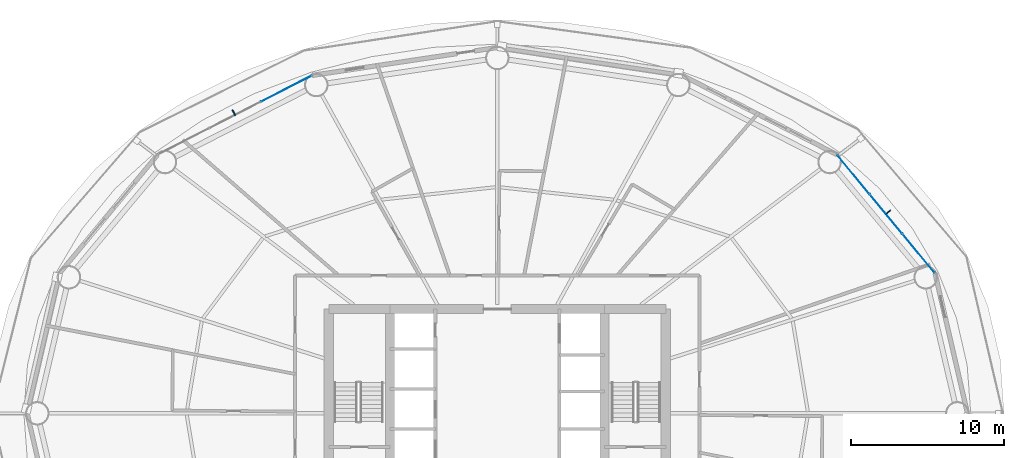
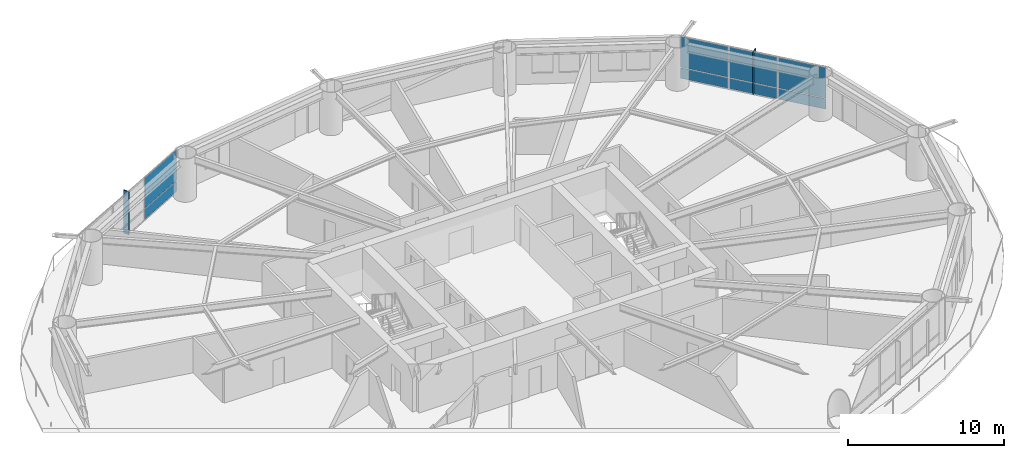
# One storey, part 18 of 26: 10 plates, 2 elements without a shape of their own.
"""IFC4 building model written with IfcOpenShell, lengths in metres."""

from ifc_helpers import new_model, si_unit, direction, frame, origin, origin_2d, place, context, subcontext, project, spatial, rectangle, extrude, material, layer, layer_set, type_object, element, aggregate, save


model = new_model("IFC4")

# Units and contexts
model_context = context("Model", 3, precision=1e-05, world=origin(), true_north=direction((0.0, 1.0)))
body_context = subcontext(model_context, "Body", "Model", "MODEL_VIEW")
ifc_project = project(units=[si_unit("LENGTHUNIT", "METRE"), si_unit("AREAUNIT", "SQUARE_METRE"), si_unit("VOLUMEUNIT", "CUBIC_METRE"), si_unit("PLANEANGLEUNIT", "RADIAN"), si_unit("MASSUNIT", "GRAM", prefix="KILO")], contexts=[model_context])

# Site, building, storey
site_placement = place(None, origin())
site = spatial("IfcSite", under=ifc_project, at=site_placement, CompositionType="ELEMENT")
building_placement = place(site_placement, origin())
building = spatial("IfcBuilding", under=site, at=building_placement, Name="Sarneth Arch Tower", CompositionType="ELEMENT")
storey_placement = place(building_placement, frame((0.0, 0.0, 71.39990234375)))
storey = spatial("IfcBuildingStorey", under=building, at=storey_placement, Name="L17", CompositionType="ELEMENT", Elevation=71.39990234375)

# Curtain wall, plates
ifc_material_1 = material(Name="Anodised aluminium Type AA25 and solar-control low-e laminated IGU", Category="aluminium")
ifc_layer_1 = layer(ifc_material_1, 0.159912109375)
ifc_layer_set_1 = layer_set([ifc_layer_1], Name="Anodised aluminium Type AA25 and solar-control low-e laminated IGU")
curtain_wall_type = type_object("IfcCurtainWallType", Name="CW-HOTEL-LOW", PredefinedType="NOTDEFINED", material=ifc_layer_set_1)
curtain_wall_1_placement = place(storey_placement, origin())
curtain_wall_1 = element("IfcCurtainWall", 1, at=curtain_wall_1_placement, inside=storey, type_object=curtain_wall_type, Name="L17 Unitised curtain wall facet 02", PredefinedType="NOTDEFINED")
ifc_material_2 = material(Name="Solar-control low-e laminated IGU", Category="glass")
ifc_layer_2 = layer(ifc_material_2, 0.028076171875)
ifc_layer_set_2 = layer_set([ifc_layer_2], Name="Solar-control low-e laminated IGU")
plate_type_1 = type_object("IfcPlateType", Name="CW-PANEL", PredefinedType="CURTAIN_PANEL", material=ifc_layer_set_2)
plate_1_placement = place(storey_placement, frame((75.503662109375, 52.441162109375, 0.06005859375), z_axis=(0.0, 0.0, 1.0), x_axis=(-0.637291340827, 0.770622960278, 0.0)))
plate_1 = element("IfcPlate", 2, at=plate_1_placement, type_object=plate_type_1, Name="Curtain wall glazed vision pane CW-L17-F02/P00-00", PredefinedType="CURTAIN_PANEL", context=body_context, shape_type="SweptSolid", body=[
    extrude(rectangle(XDim=3.260986328125, YDim=0.028076171875, at=origin_2d()), origin(), (0.0, 0.0, 1.0), 0.81005859375),
])
plate_2_placement = place(storey_placement, frame((75.503662109375, 52.441162109375, 0.93017578125), z_axis=(0.0, 0.0, 1.0), x_axis=(-0.637291340827, 0.770622960278, 0.0)))
plate_2 = element("IfcPlate", 3, at=plate_2_placement, type_object=plate_type_1, Name="Curtain wall glazed vision pane CW-L17-F02/P00-01", PredefinedType="CURTAIN_PANEL", context=body_context, shape_type="SweptSolid", body=[
    extrude(rectangle(XDim=3.260986328125, YDim=0.028076171875, at=origin_2d()), origin(), (0.0, 0.0, 1.0), 2.389892578125),
])
plate_3_placement = place(storey_placement, frame((73.37744140625, 55.01220703125, 0.06005859375), z_axis=(0.0, 0.0, 1.0), x_axis=(-0.637291340827, 0.770622960278, 0.0)))
plate_3 = element("IfcPlate", 4, at=plate_3_placement, type_object=plate_type_1, Name="Curtain wall glazed vision pane CW-L17-F02/P01-00", PredefinedType="CURTAIN_PANEL", context=body_context, shape_type="SweptSolid", body=[
    extrude(rectangle(XDim=3.291015625, YDim=0.028076171875, at=origin_2d()), origin(), (0.0, 0.0, 1.0), 0.81005859375),
])
plate_4_placement = place(storey_placement, frame((73.37744140625, 55.01220703125, 0.93017578125), z_axis=(0.0, 0.0, 1.0), x_axis=(-0.637291340827, 0.770622960278, 0.0)))
plate_4 = element("IfcPlate", 5, at=plate_4_placement, type_object=plate_type_1, Name="Curtain wall glazed vision pane CW-L17-F02/P01-01", PredefinedType="CURTAIN_PANEL", context=body_context, shape_type="SweptSolid", body=[
    extrude(rectangle(XDim=3.291015625, YDim=0.028076171875, at=origin_2d()), origin(), (0.0, 0.0, 1.0), 2.389892578125),
])
plate_5_placement = place(storey_placement, frame((71.25146484375, 57.5830078125, 0.06005859375), z_axis=(0.0, 0.0, 1.0), x_axis=(-0.637291340827, 0.770622960278, 0.0)))
plate_5 = element("IfcPlate", 6, at=plate_5_placement, type_object=plate_type_1, Name="Curtain wall glazed vision pane CW-L17-F02/P02-00", PredefinedType="CURTAIN_PANEL", context=body_context, shape_type="SweptSolid", body=[
    extrude(rectangle(XDim=3.260986328125, YDim=0.028076171875, at=origin_2d()), origin(), (0.0, 0.0, 1.0), 0.81005859375),
])
plate_6_placement = place(storey_placement, frame((71.25146484375, 57.5830078125, 0.93017578125), z_axis=(0.0, 0.0, 1.0), x_axis=(-0.637291340827, 0.770622960278, 0.0)))
plate_6 = element("IfcPlate", 7, at=plate_6_placement, type_object=plate_type_1, Name="Curtain wall glazed vision pane CW-L17-F02/P02-01", PredefinedType="CURTAIN_PANEL", context=body_context, shape_type="SweptSolid", body=[
    extrude(rectangle(XDim=3.260986328125, YDim=0.028076171875, at=origin_2d()), origin(), (0.0, 0.0, 1.0), 2.389892578125),
])
aggregate(curtain_wall_1, [plate_1, plate_2, plate_3, plate_4, plate_5, plate_6])

curtain_wall_2_placement = place(storey_placement, origin())
curtain_wall_2 = element("IfcCurtainWall", 8, at=curtain_wall_2_placement, inside=storey, type_object=curtain_wall_type, Name="L17 Unitised curtain wall facet 06", PredefinedType="NOTDEFINED")
plate_7_placement = place(storey_placement, frame((34.22607421875, 63.192626953125, 0.06005859375), z_axis=(0.0, 0.0, 1.0), x_axis=(-0.889854100456, -0.456245197127, 0.0)))
plate_7 = element("IfcPlate", 9, at=plate_7_placement, type_object=plate_type_1, Name="Curtain wall glazed vision pane CW-L17-F06/P00-00", PredefinedType="CURTAIN_PANEL", context=body_context, shape_type="SweptSolid", body=[
    extrude(rectangle(XDim=3.69189453125, YDim=0.028076171875, at=origin_2d()), origin(), (0.0, 0.0, 1.0), 0.81005859375),
])
plate_8_placement = place(storey_placement, frame((34.22607421875, 63.192626953125, 0.93017578125), z_axis=(0.0, 0.0, 1.0), x_axis=(-0.889854100456, -0.456245197127, 0.0)))
plate_8 = element("IfcPlate", 10, at=plate_8_placement, type_object=plate_type_1, Name="Curtain wall glazed vision pane CW-L17-F06/P00-01", PredefinedType="CURTAIN_PANEL", context=body_context, shape_type="SweptSolid", body=[
    extrude(rectangle(XDim=3.69189453125, YDim=0.028076171875, at=origin_2d()), origin(), (0.0, 0.0, 1.0), 2.389892578125),
])
aggregate(curtain_wall_2, [plate_7, plate_8])

# Plates
ifc_material_3 = material(Name="Extruded glazed terracotta baguette fin on Aluminium 6063-T6 carrier", Category="masonry")
ifc_layer_3 = layer(ifc_material_3, 0.080078125)
ifc_layer_set_3 = layer_set([ifc_layer_3], Name="Extruded glazed terracotta baguette fin on Aluminium 6063-T6 carrier")
plate_type_2 = type_object("IfcPlateType", Name="SHADE-TERRA-FIN", PredefinedType="SHEET", material=ifc_layer_set_3)
for number, where, z_axis, x_axis, name in (
    (11, (73.508544921875, 55.120361328125, 0.01025390625), (0.0, 0.0, 1.0), (0.770624482513, 0.637289500111, 0.0), "L17 Terracotta vertical shading fin 02"),
    (12, (30.79638671875, 61.625244140625, 0.01025390625), (0.0, 0.0, 1.0), (-0.4563215909, 0.889814927768, 0.0), "L17 Terracotta vertical shading fin 06"),
):
    element("IfcPlate", number, at=place(storey_placement, frame(where, z_axis=z_axis, x_axis=x_axis)), inside=storey, type_object=plate_type_2, Name=name, PredefinedType="SHEET", context=body_context, shape_type="SweptSolid", body=[
        extrude(rectangle(XDim=0.419921875, YDim=0.080078125, at=origin_2d()), origin(), (0.0, 0.0, 1.0), 3.360107421875),
    ])

save(model, "model.ifc")
